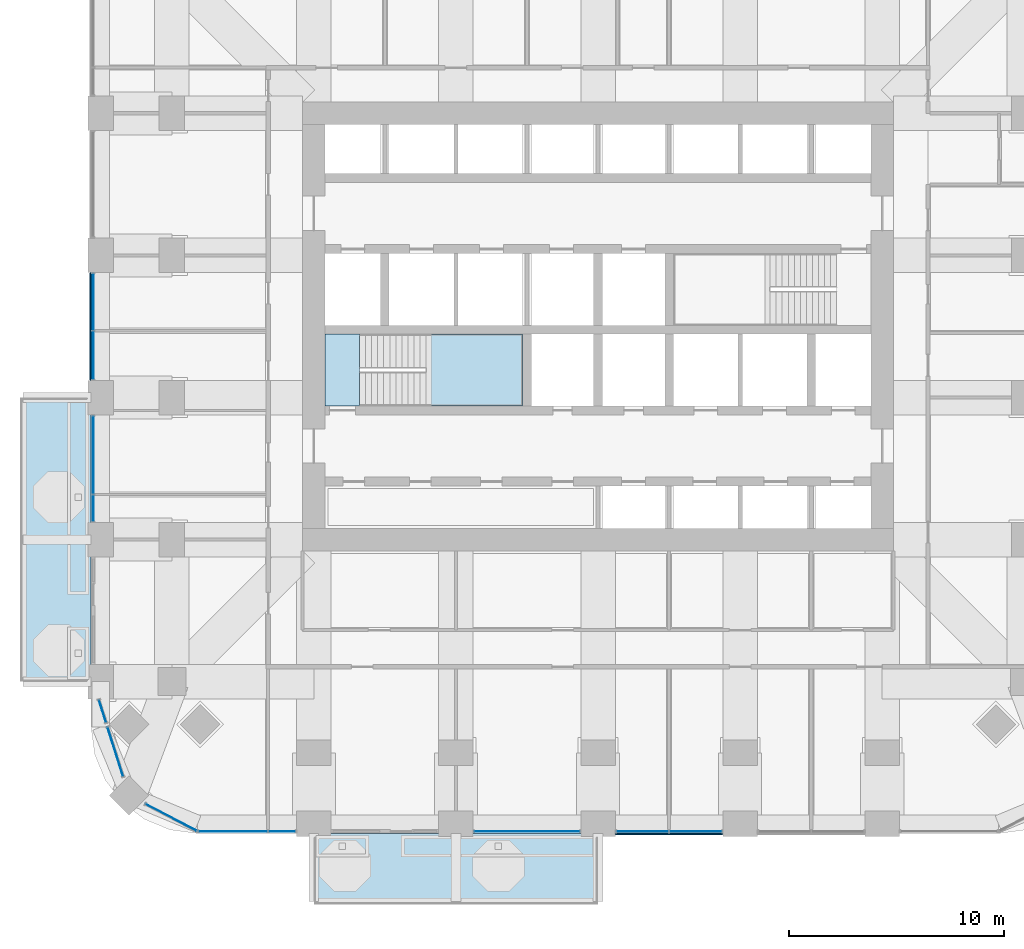
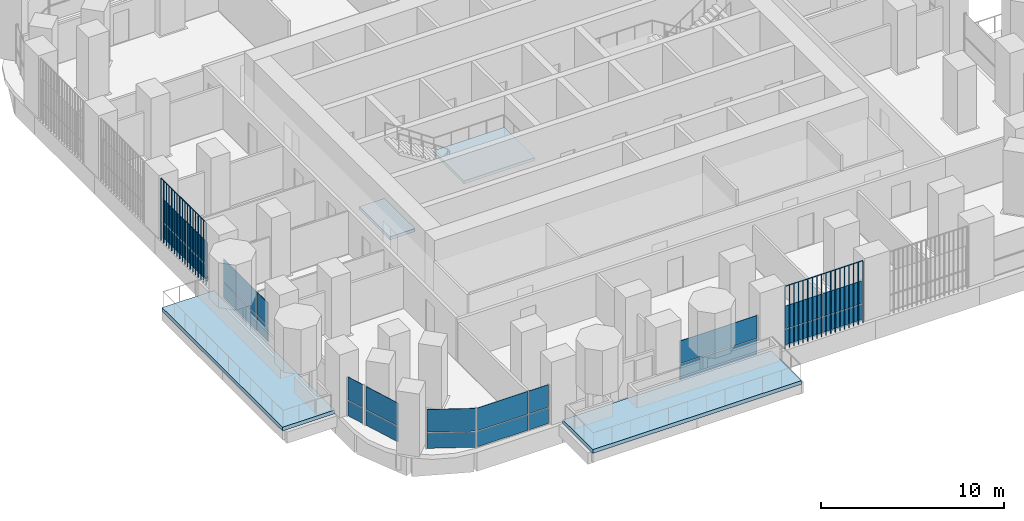
# One storey, part 8 of 21: 26 plates, 4 slabs, 9 elements without a shape of their own.
"""IFC4 building model written with IfcOpenShell, lengths in metres."""

from ifc_helpers import new_model, si_unit, direction, frame, origin, origin_2d, place, context, subcontext, project, spatial, polyline, rectangle, outline, extrude, material, layer, layer_set, type_object, element, aggregate, save


model = new_model("IFC4")

# Units and contexts
model_context = context("Model", 3, precision=1e-05, world=origin(), true_north=direction((0.0, 1.0)))
body_context = subcontext(model_context, "Body", "Model", "MODEL_VIEW")
ifc_project = project(units=[si_unit("LENGTHUNIT", "METRE"), si_unit("AREAUNIT", "SQUARE_METRE"), si_unit("VOLUMEUNIT", "CUBIC_METRE"), si_unit("PLANEANGLEUNIT", "RADIAN"), si_unit("MASSUNIT", "GRAM", prefix="KILO")], contexts=[model_context])

# Site, building, storey
site_placement = place(None, origin())
site = spatial("IfcSite", under=ifc_project, at=site_placement, CompositionType="ELEMENT")
building_placement = place(site_placement, origin())
building = spatial("IfcBuilding", under=site, at=building_placement, Name="Cobogo Forest Laboratory Tower", CompositionType="ELEMENT")
storey_placement = place(building_placement, frame((0.0, 0.0, 141.0)))
storey = spatial("IfcBuildingStorey", under=building, at=storey_placement, Name="L32", CompositionType="ELEMENT", Elevation=141.0)

# Slabs
ifc_material_1 = material(Name="Concrete HA-40 (C40/50)", Category="concrete")
ifc_layer_1 = layer(ifc_material_1, 0.25)
ifc_layer_set_1 = layer_set([ifc_layer_1], Name="Balcony slab 250")
slab_type_1 = type_object("IfcSlabType", Name="Balcony slab 250", PredefinedType="FLOOR", material=ifc_layer_set_1)
slab_1_placement = place(storey_placement, frame((0.0, 0.0, -0.25)))
element("IfcSlab", 1, at=slab_1_placement, inside=storey, type_object=slab_type_1, Name="Balcony BAL-S1 L32", PredefinedType="FLOOR", context=body_context, shape_type="SweptSolid", body=[
    extrude(outline(polyline([(13.199951171875, -3.75), (26.39990234375, -3.75), (26.39990234375, -0.449951171875), (13.199951171875, -0.449951171875), (13.199951171875, -3.75)])), origin(), (0.0, 0.0, 1.0), 0.25),
])
slab_2_placement = place(storey_placement, frame((0.0, 0.0, -0.25)))
element("IfcSlab", 2, at=slab_2_placement, inside=storey, type_object=slab_type_1, Name="Balcony BAL-W1 L32", PredefinedType="FLOOR", context=body_context, shape_type="SweptSolid", body=[
    extrude(outline(polyline([(-0.449951171875, 6.60009765625), (2.85009765625, 6.60009765625), (2.85009765625, 19.800048828125), (-0.449951171875, 19.800048828125), (-0.449951171875, 6.60009765625)])), origin(), (0.0, 0.0, 1.0), 0.25),
])

# Curtain wall, plates
ifc_material_2 = material(Name="Aluminium curtain wall", Category="aluminium")
curtain_wall_type = type_object("IfcCurtainWallType", Name="CW-1 unitised curtain wall, clear glazing, laboratory floors zones A and B", PredefinedType="USERDEFINED", material=ifc_material_2)
curtain_wall_1_placement = place(storey_placement, origin())
curtain_wall_1 = element("IfcCurtainWall", 3, at=curtain_wall_1_placement, inside=storey, type_object=curtain_wall_type, Name="Curtain wall 01 L32", ObjectType="UNITISED CURTAIN WALL", PredefinedType="USERDEFINED")
ifc_material_3 = material(Name="Clear insulated glass", Category="glass")
ifc_layer_2 = layer(ifc_material_3, 0.028076171875)
ifc_layer_set_2 = layer_set([ifc_layer_2], Name="GP-1 clear insulated glass unit 28")
plate_type_1 = type_object("IfcPlateType", Name="GP-1 clear insulated glass unit 28", PredefinedType="CURTAIN_PANEL", material=ifc_layer_set_2)
plate_1_placement = place(storey_placement, frame((9.452392578125, -0.35009765625, 0.0), z_axis=(0.0, 0.0, 1.0), x_axis=(1.0, 0.0, 0.0)))
plate_1 = element("IfcPlate", 4, at=plate_1_placement, type_object=plate_type_1, Name="CW-1 panel 1.1", PredefinedType="CURTAIN_PANEL", context=body_context, shape_type="SweptSolid", body=[
    extrude(rectangle(XDim=3.18505859375, YDim=0.028076171875, at=origin_2d()), origin(), (0.0, 0.0, 1.0), 1.02001953125),
])
plate_2_placement = place(storey_placement, frame((9.452392578125, -0.35009765625, 1.080078125), z_axis=(0.0, 0.0, 1.0), x_axis=(1.0, 0.0, 0.0)))
plate_2 = element("IfcPlate", 5, at=plate_2_placement, type_object=plate_type_1, Name="CW-1 panel 1.2", PredefinedType="CURTAIN_PANEL", context=body_context, shape_type="SweptSolid", body=[
    extrude(rectangle(XDim=3.18505859375, YDim=0.028076171875, at=origin_2d()), origin(), (0.0, 0.0, 1.0), 1.52001953125),
])
plate_3_placement = place(storey_placement, frame((11.722412109375, -0.35009765625, 0.0), z_axis=(0.0, 0.0, 1.0), x_axis=(1.0, 0.0, 0.0)))
plate_3 = element("IfcPlate", 6, at=plate_3_placement, type_object=plate_type_1, Name="CW-1 panel 2.1", PredefinedType="CURTAIN_PANEL", context=body_context, shape_type="SweptSolid", body=[
    extrude(rectangle(XDim=1.235107421875, YDim=0.028076171875, at=origin_2d()), origin(), (0.0, 0.0, 1.0), 1.02001953125),
])
plate_4_placement = place(storey_placement, frame((11.722412109375, -0.35009765625, 1.080078125), z_axis=(0.0, 0.0, 1.0), x_axis=(1.0, 0.0, 0.0)))
plate_4 = element("IfcPlate", 7, at=plate_4_placement, type_object=plate_type_1, Name="CW-1 panel 2.2", PredefinedType="CURTAIN_PANEL", context=body_context, shape_type="SweptSolid", body=[
    extrude(rectangle(XDim=1.235107421875, YDim=0.028076171875, at=origin_2d()), origin(), (0.0, 0.0, 1.0), 1.52001953125),
])
aggregate(curtain_wall_1, [plate_1, plate_2, plate_3, plate_4])

curtain_wall_2_placement = place(storey_placement, origin())
curtain_wall_2 = element("IfcCurtainWall", 8, at=curtain_wall_2_placement, inside=storey, type_object=curtain_wall_type, Name="Curtain wall 03 L32", ObjectType="UNITISED CURTAIN WALL", PredefinedType="USERDEFINED")
plate_5_placement = place(storey_placement, frame((23.10009765625, -0.35009765625, 0.0), z_axis=(0.0, 0.0, 1.0), x_axis=(1.0, 0.0, 0.0)))
plate_5 = element("IfcPlate", 9, at=plate_5_placement, type_object=plate_type_1, Name="CW-1 panel 1.1", PredefinedType="CURTAIN_PANEL", context=body_context, shape_type="SweptSolid", body=[
    extrude(rectangle(XDim=4.8798828125, YDim=0.028076171875, at=origin_2d()), origin(), (0.0, 0.0, 1.0), 1.02001953125),
])
plate_6_placement = place(storey_placement, frame((23.10009765625, -0.35009765625, 1.080078125), z_axis=(0.0, 0.0, 1.0), x_axis=(1.0, 0.0, 0.0)))
plate_6 = element("IfcPlate", 10, at=plate_6_placement, type_object=plate_type_1, Name="CW-1 panel 1.2", PredefinedType="CURTAIN_PANEL", context=body_context, shape_type="SweptSolid", body=[
    extrude(rectangle(XDim=4.8798828125, YDim=0.028076171875, at=origin_2d()), origin(), (0.0, 0.0, 1.0), 1.52001953125),
])
aggregate(curtain_wall_2, [plate_5, plate_6])

curtain_wall_3_placement = place(storey_placement, origin())
curtain_wall_3 = element("IfcCurtainWall", 11, at=curtain_wall_3_placement, inside=storey, type_object=curtain_wall_type, Name="Curtain wall 04 L32", ObjectType="UNITISED CURTAIN WALL", PredefinedType="USERDEFINED")
plate_7_placement = place(storey_placement, frame((28.465087890625, -0.35009765625, 0.0), z_axis=(0.0, 0.0, 1.0), x_axis=(1.0, 0.0, 0.0)))
plate_7 = element("IfcPlate", 12, at=plate_7_placement, type_object=plate_type_1, Name="CW-1 panel 1.1", PredefinedType="CURTAIN_PANEL", context=body_context, shape_type="SweptSolid", body=[
    extrude(rectangle(XDim=2.409912109375, YDim=0.028076171875, at=origin_2d()), origin(), (0.0, 0.0, 1.0), 1.02001953125),
])
plate_8_placement = place(storey_placement, frame((28.465087890625, -0.35009765625, 1.080078125), z_axis=(0.0, 0.0, 1.0), x_axis=(1.0, 0.0, 0.0)))
plate_8 = element("IfcPlate", 13, at=plate_8_placement, type_object=plate_type_1, Name="CW-1 panel 1.2", PredefinedType="CURTAIN_PANEL", context=body_context, shape_type="SweptSolid", body=[
    extrude(rectangle(XDim=2.409912109375, YDim=0.028076171875, at=origin_2d()), origin(), (0.0, 0.0, 1.0), 1.52001953125),
])
plate_9_placement = place(storey_placement, frame((30.93505859375, -0.35009765625, 0.0), z_axis=(0.0, 0.0, 1.0), x_axis=(1.0, 0.0, 0.0)))
plate_9 = element("IfcPlate", 14, at=plate_9_placement, type_object=plate_type_1, Name="CW-1 panel 2.1", PredefinedType="CURTAIN_PANEL", context=body_context, shape_type="SweptSolid", body=[
    extrude(rectangle(XDim=2.409912109375, YDim=0.028076171875, at=origin_2d()), origin(), (0.0, 0.0, 1.0), 1.02001953125),
])
plate_10_placement = place(storey_placement, frame((30.93505859375, -0.35009765625, 1.080078125), z_axis=(0.0, 0.0, 1.0), x_axis=(1.0, 0.0, 0.0)))
plate_10 = element("IfcPlate", 15, at=plate_10_placement, type_object=plate_type_1, Name="CW-1 panel 2.2", PredefinedType="CURTAIN_PANEL", context=body_context, shape_type="SweptSolid", body=[
    extrude(rectangle(XDim=2.409912109375, YDim=0.028076171875, at=origin_2d()), origin(), (0.0, 0.0, 1.0), 1.52001953125),
])
aggregate(curtain_wall_3, [plate_7, plate_8, plate_9, plate_10])

curtain_wall_4_placement = place(storey_placement, origin())
curtain_wall_4 = element("IfcCurtainWall", 16, at=curtain_wall_4_placement, inside=storey, type_object=curtain_wall_type, Name="Curtain wall 29 L32", ObjectType="UNITISED CURTAIN WALL", PredefinedType="USERDEFINED")
plate_11_placement = place(storey_placement, frame((2.949951171875, 24.235107421875, 0.0), z_axis=(0.0, 0.0, 1.0), x_axis=(0.0, -1.0, 0.0)))
plate_11 = element("IfcPlate", 17, at=plate_11_placement, type_object=plate_type_1, Name="CW-1 panel 1.1", PredefinedType="CURTAIN_PANEL", context=body_context, shape_type="SweptSolid", body=[
    extrude(rectangle(XDim=2.610107421875, YDim=0.028076171875, at=origin_2d()), origin(), (0.0, 0.0, 1.0), 1.02001953125),
])
plate_12_placement = place(storey_placement, frame((2.949951171875, 24.235107421875, 1.080078125), z_axis=(0.0, 0.0, 1.0), x_axis=(0.0, -1.0, 0.0)))
plate_12 = element("IfcPlate", 18, at=plate_12_placement, type_object=plate_type_1, Name="CW-1 panel 1.2", PredefinedType="CURTAIN_PANEL", context=body_context, shape_type="SweptSolid", body=[
    extrude(rectangle(XDim=2.610107421875, YDim=0.028076171875, at=origin_2d()), origin(), (0.0, 0.0, 1.0), 1.52001953125),
])
plate_13_placement = place(storey_placement, frame((2.949951171875, 21.764892578125, 0.0), z_axis=(0.0, 0.0, 1.0), x_axis=(0.0, -1.0, 0.0)))
plate_13 = element("IfcPlate", 19, at=plate_13_placement, type_object=plate_type_1, Name="CW-1 panel 2.1", PredefinedType="CURTAIN_PANEL", context=body_context, shape_type="SweptSolid", body=[
    extrude(rectangle(XDim=2.2099609375, YDim=0.028076171875, at=origin_2d()), origin(), (0.0, 0.0, 1.0), 1.02001953125),
])
plate_14_placement = place(storey_placement, frame((2.949951171875, 21.764892578125, 1.080078125), z_axis=(0.0, 0.0, 1.0), x_axis=(0.0, -1.0, 0.0)))
plate_14 = element("IfcPlate", 20, at=plate_14_placement, type_object=plate_type_1, Name="CW-1 panel 2.2", PredefinedType="CURTAIN_PANEL", context=body_context, shape_type="SweptSolid", body=[
    extrude(rectangle(XDim=2.2099609375, YDim=0.028076171875, at=origin_2d()), origin(), (0.0, 0.0, 1.0), 1.52001953125),
])
aggregate(curtain_wall_4, [plate_11, plate_12, plate_13, plate_14])

curtain_wall_5_placement = place(storey_placement, origin())
curtain_wall_5 = element("IfcCurtainWall", 21, at=curtain_wall_5_placement, inside=storey, type_object=curtain_wall_type, Name="Curtain wall 30 L32", ObjectType="UNITISED CURTAIN WALL", PredefinedType="USERDEFINED")
plate_15_placement = place(storey_placement, frame((2.949951171875, 17.135009765625, 0.0), z_axis=(0.0, 0.0, 1.0), x_axis=(0.0, -1.0, 0.0)))
plate_15 = element("IfcPlate", 22, at=plate_15_placement, type_object=plate_type_1, Name="CW-1 panel 1.1", PredefinedType="CURTAIN_PANEL", context=body_context, shape_type="SweptSolid", body=[
    extrude(rectangle(XDim=3.610107421875, YDim=0.028076171875, at=origin_2d()), origin(), (0.0, 0.0, 1.0), 1.02001953125),
])
plate_16_placement = place(storey_placement, frame((2.949951171875, 17.135009765625, 1.080078125), z_axis=(0.0, 0.0, 1.0), x_axis=(0.0, -1.0, 0.0)))
plate_16 = element("IfcPlate", 23, at=plate_16_placement, type_object=plate_type_1, Name="CW-1 panel 1.2", PredefinedType="CURTAIN_PANEL", context=body_context, shape_type="SweptSolid", body=[
    extrude(rectangle(XDim=3.610107421875, YDim=0.028076171875, at=origin_2d()), origin(), (0.0, 0.0, 1.0), 1.52001953125),
])
plate_17_placement = place(storey_placement, frame((2.949951171875, 14.6650390625, 0.0), z_axis=(0.0, 0.0, 1.0), x_axis=(0.0, -1.0, 0.0)))
plate_17 = element("IfcPlate", 24, at=plate_17_placement, type_object=plate_type_1, Name="CW-1 panel 2.1", PredefinedType="CURTAIN_PANEL", context=body_context, shape_type="SweptSolid", body=[
    extrude(rectangle(XDim=1.2099609375, YDim=0.028076171875, at=origin_2d()), origin(), (0.0, 0.0, 1.0), 1.02001953125),
])
plate_18_placement = place(storey_placement, frame((2.949951171875, 14.6650390625, 1.080078125), z_axis=(0.0, 0.0, 1.0), x_axis=(0.0, -1.0, 0.0)))
plate_18 = element("IfcPlate", 25, at=plate_18_placement, type_object=plate_type_1, Name="CW-1 panel 2.2", PredefinedType="CURTAIN_PANEL", context=body_context, shape_type="SweptSolid", body=[
    extrude(rectangle(XDim=1.2099609375, YDim=0.028076171875, at=origin_2d()), origin(), (0.0, 0.0, 1.0), 1.52001953125),
])
aggregate(curtain_wall_5, [plate_15, plate_16, plate_17, plate_18])

curtain_wall_6_placement = place(storey_placement, origin())
curtain_wall_6 = element("IfcCurtainWall", 26, at=curtain_wall_6_placement, inside=storey, type_object=curtain_wall_type, Name="Curtain wall 32 L32", ObjectType="UNITISED CURTAIN WALL", PredefinedType="USERDEFINED")
plate_19_placement = place(storey_placement, frame((3.3818359375, 5.232177734375, 0.0), z_axis=(0.0, 0.0, 1.0), x_axis=(0.301135667865, -0.953581307252, 0.0)))
plate_19 = element("IfcPlate", 27, at=plate_19_placement, type_object=plate_type_1, Name="CW-1 panel 1.1", PredefinedType="CURTAIN_PANEL", context=body_context, shape_type="SweptSolid", body=[
    extrude(rectangle(XDim=1.071044921875, YDim=0.028076171875, at=origin_2d()), origin(), (0.0, 0.0, 1.0), 1.02001953125),
])
plate_20_placement = place(storey_placement, frame((3.3818359375, 5.232177734375, 1.080078125), z_axis=(0.0, 0.0, 1.0), x_axis=(0.301135667865, -0.953581307252, 0.0)))
plate_20 = element("IfcPlate", 28, at=plate_20_placement, type_object=plate_type_1, Name="CW-1 panel 1.2", PredefinedType="CURTAIN_PANEL", context=body_context, shape_type="SweptSolid", body=[
    extrude(rectangle(XDim=1.071044921875, YDim=0.028076171875, at=origin_2d()), origin(), (0.0, 0.0, 1.0), 1.52001953125),
])
aggregate(curtain_wall_6, [plate_19, plate_20])

curtain_wall_7_placement = place(storey_placement, origin())
curtain_wall_7 = element("IfcCurtainWall", 29, at=curtain_wall_7_placement, inside=storey, type_object=curtain_wall_type, Name="Curtain wall 33 L32", ObjectType="UNITISED CURTAIN WALL", PredefinedType="USERDEFINED")
plate_21_placement = place(storey_placement, frame((3.978759765625, 3.342529296875, 0.0), z_axis=(0.0, 0.0, 1.0), x_axis=(0.301135291996, -0.953581425949, 0.0)))
plate_21 = element("IfcPlate", 30, at=plate_21_placement, type_object=plate_type_1, Name="CW-1 panel 1.1", PredefinedType="CURTAIN_PANEL", context=body_context, shape_type="SweptSolid", body=[
    extrude(rectangle(XDim=2.3681640625, YDim=0.028076171875, at=origin_2d()), origin(), (0.0, 0.0, 1.0), 1.02001953125),
])
plate_22_placement = place(storey_placement, frame((3.978759765625, 3.342529296875, 1.080078125), z_axis=(0.0, 0.0, 1.0), x_axis=(0.301135291996, -0.953581425949, 0.0)))
plate_22 = element("IfcPlate", 31, at=plate_22_placement, type_object=plate_type_1, Name="CW-1 panel 1.2", PredefinedType="CURTAIN_PANEL", context=body_context, shape_type="SweptSolid", body=[
    extrude(rectangle(XDim=2.3681640625, YDim=0.028076171875, at=origin_2d()), origin(), (0.0, 0.0, 1.0), 1.52001953125),
])
aggregate(curtain_wall_7, [plate_21, plate_22])

curtain_wall_8_placement = place(storey_placement, origin())
curtain_wall_8 = element("IfcCurtainWall", 32, at=curtain_wall_8_placement, inside=storey, type_object=curtain_wall_type, Name="Curtain wall 34 L32", ObjectType="UNITISED CURTAIN WALL", PredefinedType="USERDEFINED")
plate_23_placement = place(storey_placement, frame((6.57080078125, 0.29443359375, 0.0), z_axis=(0.0, 0.0, 1.0), x_axis=(0.885686547075, -0.464283685186, 0.0)))
plate_23 = element("IfcPlate", 33, at=plate_23_placement, type_object=plate_type_1, Name="CW-1 panel 1.1", PredefinedType="CURTAIN_PANEL", context=body_context, shape_type="SweptSolid", body=[
    extrude(rectangle(XDim=2.655517578125, YDim=0.028076171875, at=origin_2d()), origin(), (0.0, 0.0, 1.0), 1.02001953125),
])
plate_24_placement = place(storey_placement, frame((6.57080078125, 0.29443359375, 1.080078125), z_axis=(0.0, 0.0, 1.0), x_axis=(0.885686547075, -0.464283685186, 0.0)))
plate_24 = element("IfcPlate", 34, at=plate_24_placement, type_object=plate_type_1, Name="CW-1 panel 1.2", PredefinedType="CURTAIN_PANEL", context=body_context, shape_type="SweptSolid", body=[
    extrude(rectangle(XDim=2.655517578125, YDim=0.028076171875, at=origin_2d()), origin(), (0.0, 0.0, 1.0), 1.52001953125),
])
aggregate(curtain_wall_8, [plate_23, plate_24])

# Stair, slabs
ifc_material_4 = material(Name="Precast concrete HA-40 (C40/50)", Category="concrete")
stair_type = type_object("IfcStairType", Name="ST24 exit stair 24 risers", PredefinedType="HALF_TURN_STAIR", material=ifc_material_4)
stair_placement = place(storey_placement, origin())
stair = element("IfcStair", 35, at=stair_placement, inside=storey, type_object=stair_type, Name="Stair 1 L32 to L33", PredefinedType="HALF_TURN_STAIR")
ifc_layer_3 = layer(ifc_material_1, 0.199951171875)
ifc_layer_set_3 = layer_set([ifc_layer_3], Name="SL stair landing 200")
slab_type_2 = type_object("IfcSlabType", Name="SL stair landing 200", PredefinedType="LANDING", material=ifc_layer_set_3)
slab_3_placement = place(storey_placement, frame((0.0, 0.0, -0.199951171875)))
slab_3 = element("IfcSlab", 36, at=slab_3_placement, type_object=slab_type_2, Name="ST1 landing 1", PredefinedType="LANDING", context=body_context, shape_type="SweptSolid", body=[
    extrude(outline(polyline([(13.72509765625, 19.39990234375), (15.326904296875, 19.39990234375), (15.326904296875, 22.75), (13.72509765625, 22.75), (13.72509765625, 19.39990234375)])), origin(), (0.0, 0.0, 1.0), 0.199951171875),
])
slab_4_placement = place(storey_placement, frame((0.0, 0.0, 1.89990234375)))
slab_4 = element("IfcSlab", 37, at=slab_4_placement, type_object=slab_type_2, Name="ST1 landing 2", PredefinedType="LANDING", context=body_context, shape_type="SweptSolid", body=[
    extrude(outline(polyline([(18.403076171875, 19.39990234375), (22.89990234375, 19.39990234375), (22.89990234375, 22.75), (18.403076171875, 22.75), (18.403076171875, 19.39990234375)])), origin(), (0.0, 0.0, 1.0), 0.2001953125),
])
aggregate(stair, [slab_3, slab_4])

# Plates
ifc_material_5 = material(Name="Terracotta", Category="masonry")
plate_type_2 = type_object("IfcPlateType", Name="TB1 terracotta baguette screen", PredefinedType="USERDEFINED", material=ifc_material_5)
plate_25_placement = place(storey_placement, frame((27.231201171875, -0.477783203125, -0.14990234375)))
element("IfcPlate", 38, at=plate_25_placement, inside=storey, type_object=plate_type_2, Name="Baguette screen S3 L32", ObjectType="BAGUETTE SCREEN", PredefinedType="USERDEFINED", context=body_context, shape_type="SweptSolid", body=[
    extrude(outline(polyline([(0.02880859375, 0.011962890625), (0.011962890625, 0.02880859375), (-0.011962890625, 0.02880859375), (-0.02880859375, 0.011962890625), (-0.02880859375, -0.011962890625), (-0.011962890625, -0.02880859375), (0.011962890625, -0.02880859375), (0.02880859375, -0.011962890625), (0.02880859375, 0.011962890625)])), frame((0.0, 0.0, 4.168701171875), z_axis=(1.0, 0.0, 0.0), x_axis=(0.0, 1.0, 0.0)), (0.0, 0.0, 1.0), 4.9375),
    extrude(outline(polyline([(0.02880859375, 0.011962890625), (0.011962890625, 0.02880859375), (-0.011962890625, 0.02880859375), (-0.02880859375, 0.011962890625), (-0.02880859375, -0.011962890625), (-0.011962890625, -0.02880859375), (0.011962890625, -0.02880859375), (0.02880859375, -0.011962890625), (0.02880859375, 0.011962890625)])), origin(), (0.0, 0.0, 1.0), 4.137451171875),
    extrude(outline(polyline([(0.02880859375, 0.011962890625), (0.011962890625, 0.02880859375), (-0.011962890625, 0.02880859375), (-0.02880859375, 0.011962890625), (-0.02880859375, -0.011962890625), (-0.011962890625, -0.02880859375), (0.011962890625, -0.02880859375), (0.02880859375, -0.011962890625), (0.02880859375, 0.011962890625)])), frame((0.29052734375, 0.0, 0.0)), (0.0, 0.0, 1.0), 4.137451171875),
    extrude(outline(polyline([(0.02880859375, 0.011962890625), (0.011962890625, 0.02880859375), (-0.011962890625, 0.02880859375), (-0.02880859375, 0.011962890625), (-0.02880859375, -0.011962890625), (-0.011962890625, -0.02880859375), (0.011962890625, -0.02880859375), (0.02880859375, -0.011962890625), (0.02880859375, 0.011962890625)])), frame((0.580810546875, 0.0, 0.0)), (0.0, 0.0, 1.0), 4.137451171875),
    extrude(outline(polyline([(0.02880859375, 0.011962890625), (0.011962890625, 0.02880859375), (-0.011962890625, 0.02880859375), (-0.02880859375, 0.011962890625), (-0.02880859375, -0.011962890625), (-0.011962890625, -0.02880859375), (0.011962890625, -0.02880859375), (0.02880859375, -0.011962890625), (0.02880859375, 0.011962890625)])), frame((0.871337890625, 0.0, 0.0)), (0.0, 0.0, 1.0), 4.137451171875),
    extrude(outline(polyline([(0.02880859375, 0.011962890625), (0.011962890625, 0.02880859375), (-0.011962890625, 0.02880859375), (-0.02880859375, 0.011962890625), (-0.02880859375, -0.011962890625), (-0.011962890625, -0.02880859375), (0.011962890625, -0.02880859375), (0.02880859375, -0.011962890625), (0.02880859375, 0.011962890625)])), frame((1.161865234375, 0.0, 0.0)), (0.0, 0.0, 1.0), 4.137451171875),
    extrude(outline(polyline([(0.02880859375, 0.011962890625), (0.011962890625, 0.02880859375), (-0.011962890625, 0.02880859375), (-0.02880859375, 0.011962890625), (-0.02880859375, -0.011962890625), (-0.011962890625, -0.02880859375), (0.011962890625, -0.02880859375), (0.02880859375, -0.011962890625), (0.02880859375, 0.011962890625)])), frame((1.4521484375, 0.0, 0.0)), (0.0, 0.0, 1.0), 4.137451171875),
    extrude(outline(polyline([(0.02880859375, 0.011962890625), (0.011962890625, 0.02880859375), (-0.011962890625, 0.02880859375), (-0.02880859375, 0.011962890625), (-0.02880859375, -0.011962890625), (-0.011962890625, -0.02880859375), (0.011962890625, -0.02880859375), (0.02880859375, -0.011962890625), (0.02880859375, 0.011962890625)])), frame((1.74267578125, 0.0, 0.0)), (0.0, 0.0, 1.0), 4.137451171875),
    extrude(outline(polyline([(0.02880859375, 0.011962890625), (0.011962890625, 0.02880859375), (-0.011962890625, 0.02880859375), (-0.02880859375, 0.011962890625), (-0.02880859375, -0.011962890625), (-0.011962890625, -0.02880859375), (0.011962890625, -0.02880859375), (0.02880859375, -0.011962890625), (0.02880859375, 0.011962890625)])), frame((2.033203125, 0.0, 0.0)), (0.0, 0.0, 1.0), 4.137451171875),
    extrude(outline(polyline([(0.02880859375, 0.011962890625), (0.011962890625, 0.02880859375), (-0.011962890625, 0.02880859375), (-0.02880859375, 0.011962890625), (-0.02880859375, -0.011962890625), (-0.011962890625, -0.02880859375), (0.011962890625, -0.02880859375), (0.02880859375, -0.011962890625), (0.02880859375, 0.011962890625)])), frame((2.323486328125, 0.0, 0.0)), (0.0, 0.0, 1.0), 4.137451171875),
    extrude(outline(polyline([(0.02880859375, 0.011962890625), (0.011962890625, 0.02880859375), (-0.011962890625, 0.02880859375), (-0.02880859375, 0.011962890625), (-0.02880859375, -0.011962890625), (-0.011962890625, -0.02880859375), (0.011962890625, -0.02880859375), (0.02880859375, -0.011962890625), (0.02880859375, 0.011962890625)])), frame((2.614013671875, 0.0, 0.0)), (0.0, 0.0, 1.0), 4.137451171875),
    extrude(outline(polyline([(0.02880859375, 0.011962890625), (0.011962890625, 0.02880859375), (-0.011962890625, 0.02880859375), (-0.02880859375, 0.011962890625), (-0.02880859375, -0.011962890625), (-0.011962890625, -0.02880859375), (0.011962890625, -0.02880859375), (0.02880859375, -0.011962890625), (0.02880859375, 0.011962890625)])), frame((2.904296875, 0.0, 0.0)), (0.0, 0.0, 1.0), 4.137451171875),
    extrude(outline(polyline([(0.02880859375, 0.011962890625), (0.011962890625, 0.02880859375), (-0.011962890625, 0.02880859375), (-0.02880859375, 0.011962890625), (-0.02880859375, -0.011962890625), (-0.011962890625, -0.02880859375), (0.011962890625, -0.02880859375), (0.02880859375, -0.011962890625), (0.02880859375, 0.011962890625)])), frame((3.19482421875, 0.0, 0.0)), (0.0, 0.0, 1.0), 4.137451171875),
    extrude(outline(polyline([(0.02880859375, 0.011962890625), (0.011962890625, 0.02880859375), (-0.011962890625, 0.02880859375), (-0.02880859375, 0.011962890625), (-0.02880859375, -0.011962890625), (-0.011962890625, -0.02880859375), (0.011962890625, -0.02880859375), (0.02880859375, -0.011962890625), (0.02880859375, 0.011962890625)])), frame((3.4853515625, 0.0, 0.0)), (0.0, 0.0, 1.0), 4.137451171875),
    extrude(outline(polyline([(0.02880859375, 0.011962890625), (0.011962890625, 0.02880859375), (-0.011962890625, 0.02880859375), (-0.02880859375, 0.011962890625), (-0.02880859375, -0.011962890625), (-0.011962890625, -0.02880859375), (0.011962890625, -0.02880859375), (0.02880859375, -0.011962890625), (0.02880859375, 0.011962890625)])), frame((3.775634765625, 0.0, 0.0)), (0.0, 0.0, 1.0), 4.137451171875),
    extrude(outline(polyline([(0.02880859375, 0.011962890625), (0.011962890625, 0.02880859375), (-0.011962890625, 0.02880859375), (-0.02880859375, 0.011962890625), (-0.02880859375, -0.011962890625), (-0.011962890625, -0.02880859375), (0.011962890625, -0.02880859375), (0.02880859375, -0.011962890625), (0.02880859375, 0.011962890625)])), frame((4.066162109375, 0.0, 0.0)), (0.0, 0.0, 1.0), 4.137451171875),
    extrude(outline(polyline([(0.02880859375, 0.011962890625), (0.011962890625, 0.02880859375), (-0.011962890625, 0.02880859375), (-0.02880859375, 0.011962890625), (-0.02880859375, -0.011962890625), (-0.011962890625, -0.02880859375), (0.011962890625, -0.02880859375), (0.02880859375, -0.011962890625), (0.02880859375, 0.011962890625)])), frame((4.356689453125, 0.0, 0.0)), (0.0, 0.0, 1.0), 4.137451171875),
    extrude(outline(polyline([(0.02880859375, 0.011962890625), (0.011962890625, 0.02880859375), (-0.011962890625, 0.02880859375), (-0.02880859375, 0.011962890625), (-0.02880859375, -0.011962890625), (-0.011962890625, -0.02880859375), (0.011962890625, -0.02880859375), (0.02880859375, -0.011962890625), (0.02880859375, 0.011962890625)])), frame((4.64697265625, 0.0, 0.0)), (0.0, 0.0, 1.0), 4.137451171875),
    extrude(outline(polyline([(0.02880859375, 0.011962890625), (0.011962890625, 0.02880859375), (-0.011962890625, 0.02880859375), (-0.02880859375, 0.011962890625), (-0.02880859375, -0.011962890625), (-0.011962890625, -0.02880859375), (0.011962890625, -0.02880859375), (0.02880859375, -0.011962890625), (0.02880859375, 0.011962890625)])), frame((4.9375, 0.0, 0.0)), (0.0, 0.0, 1.0), 4.137451171875),
])
plate_26_placement = place(storey_placement, frame((2.822021484375, 20.63134765625, -0.14990234375)))
element("IfcPlate", 39, at=plate_26_placement, inside=storey, type_object=plate_type_2, Name="Baguette screen W3 L32", ObjectType="BAGUETTE SCREEN", PredefinedType="USERDEFINED", context=body_context, shape_type="SweptSolid", body=[
    extrude(outline(polyline([(0.02880859375, 0.011962890625), (0.011962890625, 0.02880859375), (-0.011962890625, 0.02880859375), (-0.02880859375, 0.011962890625), (-0.02880859375, -0.011962890625), (-0.011962890625, -0.02880859375), (0.011962890625, -0.02880859375), (0.02880859375, -0.011962890625), (0.02880859375, 0.011962890625)])), frame((0.0, 0.0, 4.168701171875), z_axis=(0.0, 1.0, 0.0), x_axis=(-1.0, 0.0, 0.0)), (0.0, 0.0, 1.0), 4.9375),
    extrude(outline(polyline([(0.02880859375, 0.011962890625), (0.011962890625, 0.02880859375), (-0.011962890625, 0.02880859375), (-0.02880859375, 0.011962890625), (-0.02880859375, -0.011962890625), (-0.011962890625, -0.02880859375), (0.011962890625, -0.02880859375), (0.02880859375, -0.011962890625), (0.02880859375, 0.011962890625)])), origin(), (0.0, 0.0, 1.0), 4.137451171875),
    extrude(outline(polyline([(0.02880859375, 0.011962890625), (0.011962890625, 0.02880859375), (-0.011962890625, 0.02880859375), (-0.02880859375, 0.011962890625), (-0.02880859375, -0.011962890625), (-0.011962890625, -0.02880859375), (0.011962890625, -0.02880859375), (0.02880859375, -0.011962890625), (0.02880859375, 0.011962890625)])), frame((0.0, 0.29052734375, 0.0)), (0.0, 0.0, 1.0), 4.137451171875),
    extrude(outline(polyline([(0.02880859375, 0.011962890625), (0.011962890625, 0.02880859375), (-0.011962890625, 0.02880859375), (-0.02880859375, 0.011962890625), (-0.02880859375, -0.011962890625), (-0.011962890625, -0.02880859375), (0.011962890625, -0.02880859375), (0.02880859375, -0.011962890625), (0.02880859375, 0.011962890625)])), frame((0.0, 0.580810546875, 0.0)), (0.0, 0.0, 1.0), 4.137451171875),
    extrude(outline(polyline([(0.02880859375, 0.011962890625), (0.011962890625, 0.02880859375), (-0.011962890625, 0.02880859375), (-0.02880859375, 0.011962890625), (-0.02880859375, -0.011962890625), (-0.011962890625, -0.02880859375), (0.011962890625, -0.02880859375), (0.02880859375, -0.011962890625), (0.02880859375, 0.011962890625)])), frame((0.0, 0.871337890625, 0.0)), (0.0, 0.0, 1.0), 4.137451171875),
    extrude(outline(polyline([(0.02880859375, 0.011962890625), (0.011962890625, 0.02880859375), (-0.011962890625, 0.02880859375), (-0.02880859375, 0.011962890625), (-0.02880859375, -0.011962890625), (-0.011962890625, -0.02880859375), (0.011962890625, -0.02880859375), (0.02880859375, -0.011962890625), (0.02880859375, 0.011962890625)])), frame((0.0, 1.161865234375, 0.0)), (0.0, 0.0, 1.0), 4.137451171875),
    extrude(outline(polyline([(0.02880859375, 0.011962890625), (0.011962890625, 0.02880859375), (-0.011962890625, 0.02880859375), (-0.02880859375, 0.011962890625), (-0.02880859375, -0.011962890625), (-0.011962890625, -0.02880859375), (0.011962890625, -0.02880859375), (0.02880859375, -0.011962890625), (0.02880859375, 0.011962890625)])), frame((0.0, 1.4521484375, 0.0)), (0.0, 0.0, 1.0), 4.137451171875),
    extrude(outline(polyline([(0.02880859375, 0.011962890625), (0.011962890625, 0.02880859375), (-0.011962890625, 0.02880859375), (-0.02880859375, 0.011962890625), (-0.02880859375, -0.011962890625), (-0.011962890625, -0.02880859375), (0.011962890625, -0.02880859375), (0.02880859375, -0.011962890625), (0.02880859375, 0.011962890625)])), frame((0.0, 1.74267578125, 0.0)), (0.0, 0.0, 1.0), 4.137451171875),
    extrude(outline(polyline([(0.02880859375, 0.011962890625), (0.011962890625, 0.02880859375), (-0.011962890625, 0.02880859375), (-0.02880859375, 0.011962890625), (-0.02880859375, -0.011962890625), (-0.011962890625, -0.02880859375), (0.011962890625, -0.02880859375), (0.02880859375, -0.011962890625), (0.02880859375, 0.011962890625)])), frame((0.0, 2.033203125, 0.0)), (0.0, 0.0, 1.0), 4.137451171875),
    extrude(outline(polyline([(0.02880859375, 0.011962890625), (0.011962890625, 0.02880859375), (-0.011962890625, 0.02880859375), (-0.02880859375, 0.011962890625), (-0.02880859375, -0.011962890625), (-0.011962890625, -0.02880859375), (0.011962890625, -0.02880859375), (0.02880859375, -0.011962890625), (0.02880859375, 0.011962890625)])), frame((0.0, 2.323486328125, 0.0)), (0.0, 0.0, 1.0), 4.137451171875),
    extrude(outline(polyline([(0.02880859375, 0.011962890625), (0.011962890625, 0.02880859375), (-0.011962890625, 0.02880859375), (-0.02880859375, 0.011962890625), (-0.02880859375, -0.011962890625), (-0.011962890625, -0.02880859375), (0.011962890625, -0.02880859375), (0.02880859375, -0.011962890625), (0.02880859375, 0.011962890625)])), frame((0.0, 2.614013671875, 0.0)), (0.0, 0.0, 1.0), 4.137451171875),
    extrude(outline(polyline([(0.02880859375, 0.011962890625), (0.011962890625, 0.02880859375), (-0.011962890625, 0.02880859375), (-0.02880859375, 0.011962890625), (-0.02880859375, -0.011962890625), (-0.011962890625, -0.02880859375), (0.011962890625, -0.02880859375), (0.02880859375, -0.011962890625), (0.02880859375, 0.011962890625)])), frame((0.0, 2.904296875, 0.0)), (0.0, 0.0, 1.0), 4.137451171875),
    extrude(outline(polyline([(0.02880859375, 0.011962890625), (0.011962890625, 0.02880859375), (-0.011962890625, 0.02880859375), (-0.02880859375, 0.011962890625), (-0.02880859375, -0.011962890625), (-0.011962890625, -0.02880859375), (0.011962890625, -0.02880859375), (0.02880859375, -0.011962890625), (0.02880859375, 0.011962890625)])), frame((0.0, 3.19482421875, 0.0)), (0.0, 0.0, 1.0), 4.137451171875),
    extrude(outline(polyline([(0.02880859375, 0.011962890625), (0.011962890625, 0.02880859375), (-0.011962890625, 0.02880859375), (-0.02880859375, 0.011962890625), (-0.02880859375, -0.011962890625), (-0.011962890625, -0.02880859375), (0.011962890625, -0.02880859375), (0.02880859375, -0.011962890625), (0.02880859375, 0.011962890625)])), frame((0.0, 3.4853515625, 0.0)), (0.0, 0.0, 1.0), 4.137451171875),
    extrude(outline(polyline([(0.02880859375, 0.011962890625), (0.011962890625, 0.02880859375), (-0.011962890625, 0.02880859375), (-0.02880859375, 0.011962890625), (-0.02880859375, -0.011962890625), (-0.011962890625, -0.02880859375), (0.011962890625, -0.02880859375), (0.02880859375, -0.011962890625), (0.02880859375, 0.011962890625)])), frame((0.0, 3.775634765625, 0.0)), (0.0, 0.0, 1.0), 4.137451171875),
    extrude(outline(polyline([(0.02880859375, 0.011962890625), (0.011962890625, 0.02880859375), (-0.011962890625, 0.02880859375), (-0.02880859375, 0.011962890625), (-0.02880859375, -0.011962890625), (-0.011962890625, -0.02880859375), (0.011962890625, -0.02880859375), (0.02880859375, -0.011962890625), (0.02880859375, 0.011962890625)])), frame((0.0, 4.066162109375, 0.0)), (0.0, 0.0, 1.0), 4.137451171875),
    extrude(outline(polyline([(0.02880859375, 0.011962890625), (0.011962890625, 0.02880859375), (-0.011962890625, 0.02880859375), (-0.02880859375, 0.011962890625), (-0.02880859375, -0.011962890625), (-0.011962890625, -0.02880859375), (0.011962890625, -0.02880859375), (0.02880859375, -0.011962890625), (0.02880859375, 0.011962890625)])), frame((0.0, 4.356689453125, 0.0)), (0.0, 0.0, 1.0), 4.137451171875),
    extrude(outline(polyline([(0.02880859375, 0.011962890625), (0.011962890625, 0.02880859375), (-0.011962890625, 0.02880859375), (-0.02880859375, 0.011962890625), (-0.02880859375, -0.011962890625), (-0.011962890625, -0.02880859375), (0.011962890625, -0.02880859375), (0.02880859375, -0.011962890625), (0.02880859375, 0.011962890625)])), frame((0.0, 4.64697265625, 0.0)), (0.0, 0.0, 1.0), 4.137451171875),
    extrude(outline(polyline([(0.02880859375, 0.011962890625), (0.011962890625, 0.02880859375), (-0.011962890625, 0.02880859375), (-0.02880859375, 0.011962890625), (-0.02880859375, -0.011962890625), (-0.011962890625, -0.02880859375), (0.011962890625, -0.02880859375), (0.02880859375, -0.011962890625), (0.02880859375, 0.011962890625)])), frame((0.0, 4.9375, 0.0)), (0.0, 0.0, 1.0), 4.137451171875),
])

save(model, "model.ifc")
